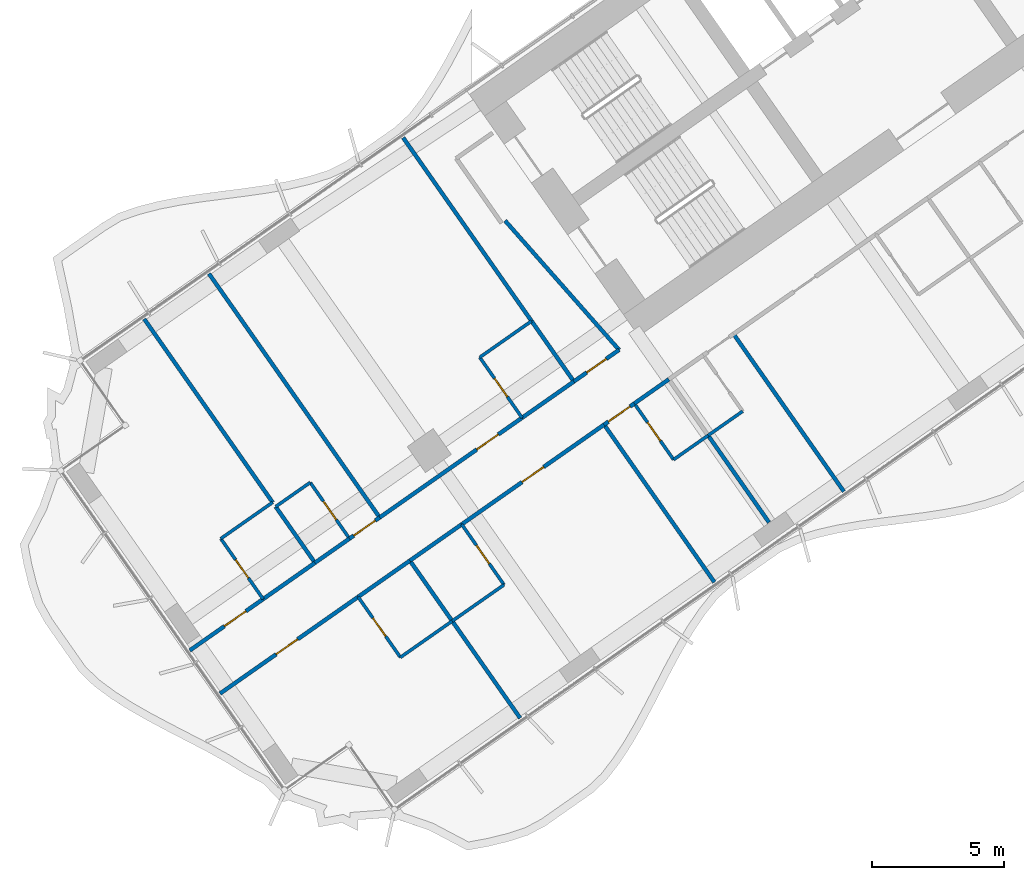
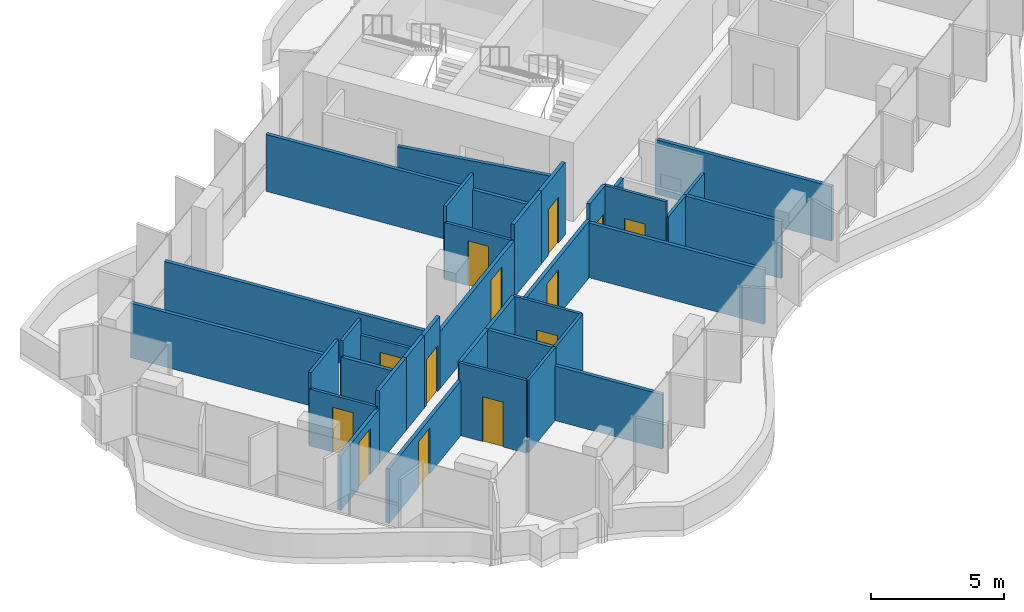
# One storey, part 12 of 23: 37 walls, 13 doors, 13 openings.
"""IFC4 building model written with IfcOpenShell, lengths in metres."""

from ifc_helpers import new_model, si_unit, direction, frame, frame_2d, origin, place, context, subcontext, project, spatial, rectangle, extrude, material, layer, layer_set, type_object, element, fill, save


model = new_model("IFC4")

# Units and contexts
model_context = context("Model", 3, precision=1e-05, world=origin(), true_north=direction((0.0, 1.0)))
body_context = subcontext(model_context, "Body", "Model", "MODEL_VIEW")
ifc_project = project(units=[si_unit("LENGTHUNIT", "METRE"), si_unit("AREAUNIT", "SQUARE_METRE"), si_unit("VOLUMEUNIT", "CUBIC_METRE"), si_unit("PLANEANGLEUNIT", "RADIAN"), si_unit("MASSUNIT", "GRAM", prefix="KILO")], contexts=[model_context])

# Site, building, storey
site_placement = place(None, origin())
site = spatial("IfcSite", under=ifc_project, at=site_placement, CompositionType="ELEMENT")
building_placement = place(site_placement, origin())
building = spatial("IfcBuilding", under=site, at=building_placement, Name="Tel Ilan Convention Tower", CompositionType="ELEMENT")
storey_placement = place(building_placement, frame((0.0, 0.0, 79.699951171875)))
storey = spatial("IfcBuildingStorey", under=building, at=storey_placement, Name="L15", CompositionType="ELEMENT", Elevation=79.699951171875)

# Wall, opening, door
ifc_material_1 = material(Name="Plasterboard on Steel Studs", Category="steel")
ifc_layer_1 = layer(ifc_material_1, 0.14990234375)
ifc_layer_set_1 = layer_set([ifc_layer_1], Name="Fire-rated Partition 150 EI 60")
wall_type_1 = type_object("IfcWallType", Name="Fire-rated Partition 150 EI 60", PredefinedType="PARTITIONING", material=ifc_layer_set_1)
wall_1_placement = place(storey_placement, frame((-24.002685546875, -18.027587890625, 0.0), z_axis=(0.0, 0.0, 1.0), x_axis=(0.819160859995, 0.573563846013, 0.0)))
wall_1 = element("IfcWall", 1, at=wall_1_placement, inside=storey, type_object=wall_type_1, Name="Partition 017", PredefinedType="PARTITIONING", context=body_context, shape_type="SweptSolid", body=[
    extrude(rectangle(XDim=2.098388671875, YDim=0.14990234375, at=frame_2d((1.04931640625, 0.0))), origin(), (0.0, 0.0, 1.0), 3.320068359375),
])
opening_1_placement = place(wall_1_placement, frame((0.59912109375, 0.0, 0.0)))
opening_1 = element("IfcOpeningElement", 2, at=opening_1_placement, cuts=wall_1, Name="Opening L15-013", PredefinedType="OPENING", context=body_context, shape_type="SweptSolid", body=[
    extrude(rectangle(XDim=0.89990234375, YDim=2.10009765625, at=frame_2d((0.449951171875, 1.050048828125))), frame((0.0, 0.0849609375, 0.0), z_axis=(0.0, -1.0, 0.0), x_axis=(1.0, 0.0, 0.0)), (0.0, 0.0, 1.0), 0.169921875),
])
ifc_material_2 = material(Name="Timber Door Leaf in Steel Frame", Category="steel")
door_type_1 = type_object("IfcDoorType", Name="Room Fire Door 900x2100", OperationType="NOTDEFINED", PredefinedType="DOOR", material=ifc_material_2)
door_1_placement = place(opening_1_placement, origin())
door_1 = element("IfcDoor", 3, at=door_1_placement, inside=storey, type_object=door_type_1, Name="Door L15-013", OperationType="SINGLE_SWING_LEFT", OverallHeight=2.10009765625, OverallWidth=0.89990234375, PredefinedType="DOOR", context=body_context, shape_type="SweptSolid", body=[
    extrude(rectangle(XDim=0.89990234375, YDim=2.10009765625, at=frame_2d((0.449951171875, 1.050048828125))), frame((0.0, 0.02490234375, 0.0), z_axis=(0.0, -1.0, 0.0), x_axis=(1.0, 0.0, 0.0)), (0.0, 0.0, 1.0), 0.050048828125),
])
fill(opening_1, door_1)

wall_2_placement = place(storey_placement, frame((-31.375, -23.189697265625, 0.0), z_axis=(0.0, 0.0, 1.0), x_axis=(0.819171118839, 0.573549194106, 0.0)))
wall_2 = element("IfcWall", 4, at=wall_2_placement, inside=storey, type_object=wall_type_1, Name="Partition 018", PredefinedType="PARTITIONING", context=body_context, shape_type="SweptSolid", body=[
    extrude(rectangle(XDim=6.60302734375, YDim=0.14990234375, at=frame_2d((3.301513671875, 0.0))), origin(), (0.0, 0.0, 1.0), 2.60009765625),
])
opening_2_placement = place(wall_2_placement, frame((4.501953125, 0.0, 0.0)))
opening_2 = element("IfcOpeningElement", 5, at=opening_2_placement, cuts=wall_2, Name="Opening L15-015", PredefinedType="OPENING", context=body_context, shape_type="SweptSolid", body=[
    extrude(rectangle(XDim=1.0, YDim=2.10009765625, at=frame_2d((0.5, 1.050048828125))), frame((0.0, 0.0849609375, 0.0), z_axis=(0.0, -1.0, 0.0), x_axis=(1.0, 0.0, 0.0)), (0.0, 0.0, 1.0), 0.169921875),
])
ifc_material_3 = material(Name="Timber Door Leaf in Steel Frame", Category="steel")
door_type_2 = type_object("IfcDoorType", Name="Hotel Room Entrance Fire Door 1000x2100", OperationType="NOTDEFINED", PredefinedType="DOOR", material=ifc_material_3)
door_2_placement = place(opening_2_placement, origin())
door_2 = element("IfcDoor", 6, at=door_2_placement, inside=storey, type_object=door_type_2, Name="Door L15-015", OperationType="SINGLE_SWING_LEFT", OverallHeight=2.10009765625, OverallWidth=1.0, PredefinedType="DOOR", context=body_context, shape_type="SweptSolid", body=[
    extrude(rectangle(XDim=1.0, YDim=2.10009765625, at=frame_2d((0.5, 1.050048828125))), frame((0.0, 0.02490234375, 0.0), z_axis=(0.0, -1.0, 0.0), x_axis=(1.0, 0.0, 0.0)), (0.0, 0.0, 1.0), 0.050048828125),
])
fill(opening_2, door_2)

# Wall
wall_3_placement = place(storey_placement, frame((-25.968505859375, -19.404296875, 0.0), z_axis=(0.0, 0.0, 1.0), x_axis=(0.819146032251, 0.573585022335, 0.0)))
element("IfcWall", 7, at=wall_3_placement, inside=storey, type_object=wall_type_1, Name="Partition 019", PredefinedType="PARTITIONING", context=body_context, shape_type="SweptSolid", body=[
    extrude(rectangle(XDim=2.404052734375, YDim=0.14990234375, at=frame_2d((1.2021484375, 0.0))), origin(), (0.0, 0.0, 1.0), 3.320068359375),
])

# Wall, opening, door
wall_4_placement = place(storey_placement, frame((-32.52099609375, -23.9921875, 0.0), z_axis=(0.0, 0.0, 1.0), x_axis=(0.819199220913, 0.573509055252, 0.0)))
wall_4 = element("IfcWall", 8, at=wall_4_placement, inside=storey, type_object=wall_type_1, Name="Partition 020", PredefinedType="PARTITIONING", context=body_context, shape_type="SweptSolid", body=[
    extrude(rectangle(XDim=1.403076171875, YDim=0.14990234375, at=frame_2d((0.70166015625, 0.0))), origin(), (0.0, 0.0, 1.0), 3.320068359375),
])
opening_3_placement = place(wall_4_placement, frame((0.200927734375, 0.0, 0.0)))
opening_3 = element("IfcOpeningElement", 9, at=opening_3_placement, cuts=wall_4, Name="Opening L15-017", PredefinedType="OPENING", context=body_context, shape_type="SweptSolid", body=[
    extrude(rectangle(XDim=1.0, YDim=2.10009765625, at=frame_2d((0.5, 1.050048828125))), frame((0.0, 0.0849609375, 0.0), z_axis=(0.0, -1.0, 0.0), x_axis=(1.0, 0.0, 0.0)), (0.0, 0.0, 1.0), 0.169921875),
])
door_3_placement = place(opening_3_placement, origin())
door_3 = element("IfcDoor", 10, at=door_3_placement, inside=storey, type_object=door_type_2, Name="Door L15-017", OperationType="SINGLE_SWING_RIGHT", OverallHeight=2.10009765625, OverallWidth=1.0, PredefinedType="DOOR", context=body_context, shape_type="SweptSolid", body=[
    extrude(rectangle(XDim=1.0, YDim=2.10009765625, at=frame_2d((0.5, 1.050048828125))), frame((0.0, 0.02490234375, 0.0), z_axis=(0.0, -1.0, 0.0), x_axis=(1.0, 0.0, 0.0)), (0.0, 0.0, 1.0), 0.050048828125),
])
fill(opening_3, door_3)

# Wall
wall_5_placement = place(storey_placement, frame((-33.83251953125, -24.910400390625, 0.0), z_axis=(0.0, 0.0, 1.0), x_axis=(0.819189013667, 0.573523634986, 0.0)))
element("IfcWall", 11, at=wall_5_placement, inside=storey, type_object=wall_type_1, Name="Partition 021", PredefinedType="PARTITIONING", context=body_context, shape_type="SweptSolid", body=[
    extrude(rectangle(XDim=1.60400390625, YDim=0.14990234375, at=frame_2d((0.802001953125, 0.0))), origin(), (0.0, 0.0, 1.0), 3.320068359375),
])

# Wall, opening, door
wall_6_placement = place(storey_placement, frame((-38.581787109375, -28.236083984375, 0.0), z_axis=(0.0, 0.0, 1.0), x_axis=(0.819154345195, 0.573573150303, 0.0)))
wall_6 = element("IfcWall", 12, at=wall_6_placement, inside=storey, type_object=wall_type_1, Name="Partition 022", PredefinedType="PARTITIONING", context=body_context, shape_type="SweptSolid", body=[
    extrude(rectangle(XDim=3.40087890625, YDim=0.14990234375, at=frame_2d((1.700439453125, 0.0))), origin(), (0.0, 0.0, 1.0), 2.5),
])
opening_4_placement = place(wall_6_placement, frame((1.60009765625, 0.0, 0.0)))
opening_4 = element("IfcOpeningElement", 13, at=opening_4_placement, cuts=wall_6, Name="Opening L15-019", PredefinedType="OPENING", context=body_context, shape_type="SweptSolid", body=[
    extrude(rectangle(XDim=1.0, YDim=2.10009765625, at=frame_2d((0.5, 1.050048828125))), frame((0.0, 0.0849609375, 0.0), z_axis=(0.0, -1.0, 0.0), x_axis=(1.0, 0.0, 0.0)), (0.0, 0.0, 1.0), 0.169921875),
])
door_4_placement = place(opening_4_placement, origin())
door_4 = element("IfcDoor", 14, at=door_4_placement, inside=storey, type_object=door_type_2, Name="Door L15-019", OperationType="SINGLE_SWING_LEFT", OverallHeight=2.10009765625, OverallWidth=1.0, PredefinedType="DOOR", context=body_context, shape_type="SweptSolid", body=[
    extrude(rectangle(XDim=1.0, YDim=2.10009765625, at=frame_2d((0.5, 1.050048828125))), frame((0.0, 0.02490234375, 0.0), z_axis=(0.0, -1.0, 0.0), x_axis=(1.0, 0.0, 0.0)), (0.0, 0.0, 1.0), 0.050048828125),
])
fill(opening_4, door_4)

# Wall
wall_7_placement = place(storey_placement, frame((-35.79833984375, -26.287109375, 0.0), z_axis=(0.0, 0.0, 1.0), x_axis=(0.819146032251, 0.573585022335, 0.0)))
element("IfcWall", 15, at=wall_7_placement, inside=storey, type_object=wall_type_1, Name="Partition 023", PredefinedType="PARTITIONING", context=body_context, shape_type="SweptSolid", body=[
    extrude(rectangle(XDim=2.404052734375, YDim=0.14990234375, at=frame_2d((1.2021484375, 0.0))), origin(), (0.0, 0.0, 1.0), 3.320068359375),
])

# Wall, opening, door
wall_8_placement = place(storey_placement, frame((-21.706298828125, -18.861083984375, 0.0), z_axis=(0.0, 0.0, 1.0), x_axis=(-0.819060210533, -0.573707566205, 0.0)))
wall_8 = element("IfcWall", 16, at=wall_8_placement, inside=storey, type_object=wall_type_1, Name="Partition 030", PredefinedType="PARTITIONING", context=body_context, shape_type="SweptSolid", body=[
    extrude(rectangle(XDim=1.403076171875, YDim=0.14990234375, at=frame_2d((0.70166015625, 0.0))), origin(), (0.0, 0.0, 1.0), 3.320068359375),
])
opening_5_placement = place(wall_8_placement, frame((0.200927734375, 0.0, 0.0)))
opening_5 = element("IfcOpeningElement", 17, at=opening_5_placement, cuts=wall_8, Name="Opening L15-008", PredefinedType="OPENING", context=body_context, shape_type="SweptSolid", body=[
    extrude(rectangle(XDim=1.0, YDim=2.10009765625, at=frame_2d((0.5, 1.050048828125))), frame((0.0, 0.0849609375, 0.0), z_axis=(0.0, -1.0, 0.0), x_axis=(1.0, 0.0, 0.0)), (0.0, 0.0, 1.0), 0.169921875),
])
door_5_placement = place(opening_5_placement, origin())
door_5 = element("IfcDoor", 18, at=door_5_placement, inside=storey, type_object=door_type_2, Name="Door L15-008", OperationType="SINGLE_SWING_LEFT", OverallHeight=2.10009765625, OverallWidth=1.0, PredefinedType="DOOR", context=body_context, shape_type="SweptSolid", body=[
    extrude(rectangle(XDim=1.0, YDim=2.10009765625, at=frame_2d((0.5, 1.050048828125))), frame((0.0, 0.02490234375, 0.0), z_axis=(0.0, -1.0, 0.0), x_axis=(1.0, 0.0, 0.0)), (0.0, 0.0, 1.0), 0.050048828125),
])
fill(opening_5, door_5)

# Wall
wall_9_placement = place(storey_placement, frame((-20.394775390625, -17.94287109375, 0.0), z_axis=(0.0, 0.0, 1.0), x_axis=(-0.819189013667, -0.573523634986, 0.0)))
element("IfcWall", 19, at=wall_9_placement, inside=storey, type_object=wall_type_1, Name="Partition 031", PredefinedType="PARTITIONING", context=body_context, shape_type="SweptSolid", body=[
    extrude(rectangle(XDim=1.60400390625, YDim=0.14990234375, at=frame_2d((0.802001953125, 0.0))), origin(), (0.0, 0.0, 1.0), 2.60009765625),
])

# Wall, opening, door
wall_10_placement = place(storey_placement, frame((-22.852294921875, -19.66357421875, 0.0), z_axis=(0.0, 0.0, 1.0), x_axis=(-0.819141582452, -0.573591377113, 0.0)))
wall_10 = element("IfcWall", 20, at=wall_10_placement, inside=storey, type_object=wall_type_1, Name="Partition 032", PredefinedType="PARTITIONING", context=body_context, shape_type="SweptSolid", body=[
    extrude(rectangle(XDim=6.602783203125, YDim=0.14990234375, at=frame_2d((3.30126953125, 0.0))), origin(), (0.0, 0.0, 1.0), 2.60009765625),
])
opening_6_placement = place(wall_10_placement, frame((2.802001953125, 0.0, 0.0)))
opening_6 = element("IfcOpeningElement", 21, at=opening_6_placement, cuts=wall_10, Name="Opening L15-010", PredefinedType="OPENING", context=body_context, shape_type="SweptSolid", body=[
    extrude(rectangle(XDim=1.0, YDim=2.10009765625, at=frame_2d((0.5, 1.050048828125))), frame((0.0, 0.0849609375, 0.0), z_axis=(0.0, -1.0, 0.0), x_axis=(1.0, 0.0, 0.0)), (0.0, 0.0, 1.0), 0.169921875),
])
door_6_placement = place(opening_6_placement, origin())
door_6 = element("IfcDoor", 22, at=door_6_placement, inside=storey, type_object=door_type_2, Name="Door L15-010", OperationType="SINGLE_SWING_LEFT", OverallHeight=2.10009765625, OverallWidth=1.0, PredefinedType="DOOR", context=body_context, shape_type="SweptSolid", body=[
    extrude(rectangle(XDim=1.0, YDim=2.10009765625, at=frame_2d((0.5, 1.050048828125))), frame((0.0, 0.02490234375, 0.0), z_axis=(0.0, -1.0, 0.0), x_axis=(1.0, 0.0, 0.0)), (0.0, 0.0, 1.0), 0.050048828125),
])
fill(opening_6, door_6)

# Wall
wall_11_placement = place(storey_placement, frame((-28.258544921875, -23.44921875, 0.0), z_axis=(0.0, 0.0, 1.0), x_axis=(-0.819146032251, -0.573585022335, 0.0)))
element("IfcWall", 23, at=wall_11_placement, inside=storey, type_object=wall_type_1, Name="Partition 033", PredefinedType="PARTITIONING", context=body_context, shape_type="SweptSolid", body=[
    extrude(rectangle(XDim=2.404052734375, YDim=0.14990234375, at=frame_2d((1.2021484375, 0.0))), origin(), (0.0, 0.0, 1.0), 3.320068359375),
])

# Wall, opening, door
wall_12_placement = place(storey_placement, frame((-32.19140625, -26.202880859375, 0.0), z_axis=(0.0, 0.0, 1.0), x_axis=(-0.819140526837, -0.573592884626, 0.0)))
wall_12 = element("IfcWall", 24, at=wall_12_placement, inside=storey, type_object=wall_type_1, Name="Partition 034", PredefinedType="PARTITIONING", context=body_context, shape_type="SweptSolid", body=[
    extrude(rectangle(XDim=6.401123046875, YDim=0.14990234375, at=frame_2d((3.20068359375, 0.0))), origin(), (0.0, 0.0, 1.0), 2.5),
])
opening_7_placement = place(wall_12_placement, frame((2.801025390625, 0.0, 0.0)))
opening_7 = element("IfcOpeningElement", 25, at=opening_7_placement, cuts=wall_12, Name="Opening L15-012", PredefinedType="OPENING", context=body_context, shape_type="SweptSolid", body=[
    extrude(rectangle(XDim=1.0, YDim=2.10009765625, at=frame_2d((0.5, 1.050048828125))), frame((0.0, 0.0849609375, 0.0), z_axis=(0.0, -1.0, 0.0), x_axis=(1.0, 0.0, 0.0)), (0.0, 0.0, 1.0), 0.169921875),
])
door_7_placement = place(opening_7_placement, origin())
door_7 = element("IfcDoor", 26, at=door_7_placement, inside=storey, type_object=door_type_2, Name="Door L15-012", OperationType="SINGLE_SWING_LEFT", OverallHeight=2.10009765625, OverallWidth=1.0, PredefinedType="DOOR", context=body_context, shape_type="SweptSolid", body=[
    extrude(rectangle(XDim=1.0, YDim=2.10009765625, at=frame_2d((0.5, 1.050048828125))), frame((0.0, 0.02490234375, 0.0), z_axis=(0.0, -1.0, 0.0), x_axis=(1.0, 0.0, 0.0)), (0.0, 0.0, 1.0), 0.050048828125),
])
fill(opening_7, door_7)

# Walls
wall_13_placement = place(storey_placement, frame((-30.224609375, -24.82568359375, 0.0), z_axis=(0.0, 0.0, 1.0), x_axis=(-0.819146032251, -0.573585022335, 0.0)))
element("IfcWall", 27, at=wall_13_placement, inside=storey, type_object=wall_type_1, Name="Partition 035", PredefinedType="PARTITIONING", context=body_context, shape_type="SweptSolid", body=[
    extrude(rectangle(XDim=2.404052734375, YDim=0.14990234375, at=frame_2d((1.2021484375, 0.0))), origin(), (0.0, 0.0, 1.0), 3.320068359375),
])
wall_14_placement = place(storey_placement, frame((-22.2841796875, -16.82666015625, 0.0), z_axis=(0.0, 0.0, 1.0), x_axis=(-0.661545117561, 0.749905365651, 0.0)))
element("IfcWall", 28, at=wall_14_placement, inside=storey, type_object=wall_type_1, Name="Partition 067", PredefinedType="PARTITIONING", context=body_context, shape_type="SweptSolid", body=[
    extrude(rectangle(XDim=6.542724609375, YDim=0.14990234375, at=frame_2d((3.271484375, 0.0))), origin(), (0.0, 0.0, 1.0), 2.60009765625),
])
wall_15_placement = place(storey_placement, frame((-25.6064453125, -15.733642578125, 0.0), z_axis=(0.0, 0.0, 1.0), x_axis=(-0.573576058406, 0.819152308929, 0.0)))
element("IfcWall", 29, at=wall_15_placement, inside=storey, type_object=wall_type_1, Name="Partition 068", PredefinedType="PARTITIONING", context=body_context, shape_type="SweptSolid", body=[
    extrude(rectangle(XDim=8.5009765625, YDim=0.14990234375, at=frame_2d((4.25048828125, 0.0))), origin(), (0.0, 0.0, 1.0), 2.60009765625),
])
wall_16_placement = place(storey_placement, frame((-24.0009765625, -18.0263671875, 0.0), z_axis=(0.0, 0.0, 1.0), x_axis=(-0.573596837309, 0.819137759006, 0.0)))
element("IfcWall", 30, at=wall_16_placement, inside=storey, type_object=wall_type_1, Name="Partition 069", PredefinedType="PARTITIONING", context=body_context, shape_type="SweptSolid", body=[
    extrude(rectangle(XDim=2.802001953125, YDim=0.14990234375, at=frame_2d((1.40087890625, 0.0))), origin(), (0.0, 0.0, 1.0), 2.60009765625),
])
wall_17_placement = place(storey_placement, frame((-31.373291015625, -23.188720703125, 0.0), z_axis=(0.0, 0.0, 1.0), x_axis=(-0.573571089604, 0.819155788095, 0.0)))
element("IfcWall", 31, at=wall_17_placement, inside=storey, type_object=wall_type_1, Name="Partition 072", PredefinedType="PARTITIONING", context=body_context, shape_type="SweptSolid", body=[
    extrude(rectangle(XDim=11.300048828125, YDim=0.14990234375, at=frame_2d((5.64990234375, 0.0))), origin(), (0.0, 0.0, 1.0), 2.5),
])
wall_18_placement = place(storey_placement, frame((-35.436279296875, -22.61669921875, 0.0), z_axis=(0.0, 0.0, 1.0), x_axis=(-0.57356256513, 0.819161756848, 0.0)))
element("IfcWall", 32, at=wall_18_placement, inside=storey, type_object=wall_type_1, Name="Partition 075", PredefinedType="PARTITIONING", context=body_context, shape_type="SweptSolid", body=[
    extrude(rectangle(XDim=8.501220703125, YDim=0.14990234375, at=frame_2d((4.25048828125, 0.0))), origin(), (0.0, 0.0, 1.0), 2.5),
])
wall_19_placement = place(storey_placement, frame((-33.830810546875, -24.909423828125, 0.0), z_axis=(0.0, 0.0, 1.0), x_axis=(-0.573537965655, 0.819178980414, 0.0)))
element("IfcWall", 33, at=wall_19_placement, inside=storey, type_object=wall_type_1, Name="Partition 076", PredefinedType="PARTITIONING", context=body_context, shape_type="SweptSolid", body=[
    extrude(rectangle(XDim=2.60009765625, YDim=0.14990234375, at=frame_2d((1.300048828125, 0.0))), origin(), (0.0, 0.0, 1.0), 2.60009765625),
])
wall_20_placement = place(storey_placement, frame((-13.751708984375, -22.203125, 0.0), z_axis=(0.0, 0.0, 1.0), x_axis=(-0.573594765376, 0.819139209862, 0.0)))
element("IfcWall", 34, at=wall_20_placement, inside=storey, type_object=wall_type_1, Name="Partition 085", PredefinedType="PARTITIONING", context=body_context, shape_type="SweptSolid", body=[
    extrude(rectangle(XDim=7.300048828125, YDim=0.14990234375, at=frame_2d((3.64990234375, 0.0))), origin(), (0.0, 0.0, 1.0), 2.5),
])
wall_21_placement = place(storey_placement, frame((-16.593505859375, -23.375, 0.0), z_axis=(0.0, 0.0, 1.0), x_axis=(-0.573600608675, 0.819135118114, 0.0)))
element("IfcWall", 35, at=wall_21_placement, inside=storey, type_object=wall_type_1, Name="Partition 088", PredefinedType="PARTITIONING", context=body_context, shape_type="SweptSolid", body=[
    extrude(rectangle(XDim=4.029052734375, YDim=0.14990234375, at=frame_2d((2.0146484375, 0.0))), origin(), (0.0, 0.0, 1.0), 2.60009765625),
])
wall_22_placement = place(storey_placement, frame((-18.666748046875, -25.64453125, 0.0), z_axis=(0.0, 0.0, 1.0), x_axis=(-0.573572324301, 0.819154923562, 0.0)))
element("IfcWall", 36, at=wall_22_placement, inside=storey, type_object=wall_type_1, Name="Partition 092", PredefinedType="PARTITIONING", context=body_context, shape_type="SweptSolid", body=[
    extrude(rectangle(XDim=7.2998046875, YDim=0.14990234375, at=frame_2d((3.64990234375, 0.0))), origin(), (0.0, 0.0, 1.0), 2.5),
])
wall_23_placement = place(storey_placement, frame((-26.0390625, -30.806640625, 0.0), z_axis=(0.0, 0.0, 1.0), x_axis=(-0.573589807488, 0.819142681555, 0.0)))
element("IfcWall", 37, at=wall_23_placement, inside=storey, type_object=wall_type_1, Name="Partition 095", PredefinedType="PARTITIONING", context=body_context, shape_type="SweptSolid", body=[
    extrude(rectangle(XDim=4.4990234375, YDim=0.14990234375, at=frame_2d((2.24951171875, 0.0))), origin(), (0.0, 0.0, 1.0), 2.5),
])
wall_24_placement = place(storey_placement, frame((-28.6201171875, -27.12060546875, 0.0), z_axis=(0.0, 0.0, 1.0), x_axis=(-0.573608623498, 0.819129505664, 0.0)))
element("IfcWall", 38, at=wall_24_placement, inside=storey, type_object=wall_type_1, Name="Partition 096", PredefinedType="PARTITIONING", context=body_context, shape_type="SweptSolid", body=[
    extrude(rectangle(XDim=2.800048828125, YDim=0.14990234375, at=frame_2d((1.39990234375, 0.0))), origin(), (0.0, 0.0, 1.0), 3.320068359375),
])
ifc_material_4 = material(Name="Plasterboard on Steel Studs", Category="steel")
ifc_layer_2 = layer(ifc_material_4, 0.1201171875)
ifc_layer_set_2 = layer_set([ifc_layer_2], Name="Moisture-resistant Partition 120")
wall_type_2 = type_object("IfcWallType", Name="Moisture-resistant Partition 120", PredefinedType="PARTITIONING", material=ifc_layer_set_2)
wall_25_placement = place(storey_placement, frame((-25.607666015625, -15.73193359375, 0.0), z_axis=(0.0, 0.0, 1.0), x_axis=(-0.819107643868, -0.573639841501, 0.0)))
element("IfcWall", 39, at=wall_25_placement, inside=storey, type_object=wall_type_2, Name="Partition 070", PredefinedType="PARTITIONING", context=body_context, shape_type="SweptSolid", body=[
    extrude(rectangle(XDim=2.39990234375, YDim=0.1201171875, at=frame_2d((1.199951171875, 0.0))), origin(), (0.0, 0.0, 1.0), 3.320068359375),
])

# Wall, opening, door
wall_26_placement = place(storey_placement, frame((-27.57373046875, -17.110107421875, 0.0), z_axis=(0.0, 0.0, 1.0), x_axis=(0.573591086599, -0.819141785879, 0.0)))
wall_26 = element("IfcWall", 40, at=wall_26_placement, inside=storey, type_object=wall_type_2, Name="Partition 071", PredefinedType="PARTITIONING", context=body_context, shape_type="SweptSolid", body=[
    extrude(rectangle(XDim=2.7998046875, YDim=0.1201171875, at=frame_2d((1.39990234375, 0.0))), origin(), (0.0, 0.0, 1.0), 2.60009765625),
])
opening_8_placement = place(wall_26_placement, frame((0.97509765625, 0.0, 0.0)))
opening_8 = element("IfcOpeningElement", 41, at=opening_8_placement, cuts=wall_26, Name="Opening L15-014", PredefinedType="OPENING", context=body_context, shape_type="SweptSolid", body=[
    extrude(rectangle(XDim=0.85009765625, YDim=2.050048828125, at=frame_2d((0.425048828125, 1.02490234375))), frame((0.0, 0.070068359375, 0.0), z_axis=(0.0, -1.0, 0.0), x_axis=(1.0, 0.0, 0.0)), (0.0, 0.0, 1.0), 0.14013671875),
])
ifc_material_5 = material(Name="Timber Door Leaf in Steel Frame", Category="steel")
door_type_3 = type_object("IfcDoorType", Name="Bathroom Timber Door 850x2050", OperationType="NOTDEFINED", PredefinedType="DOOR", material=ifc_material_5)
door_8_placement = place(opening_8_placement, origin())
door_8 = element("IfcDoor", 42, at=door_8_placement, inside=storey, type_object=door_type_3, Name="Door L15-014", OperationType="SINGLE_SWING_RIGHT", OverallHeight=2.050048828125, OverallWidth=0.85009765625, PredefinedType="DOOR", context=body_context, shape_type="SweptSolid", body=[
    extrude(rectangle(XDim=0.85009765625, YDim=2.050048828125, at=frame_2d((0.425048828125, 1.02490234375))), frame((0.0, 0.02490234375, 0.0), z_axis=(0.0, -1.0, 0.0), x_axis=(1.0, 0.0, 0.0)), (0.0, 0.0, 1.0), 0.050048828125),
])
fill(opening_8, door_8)

wall_27_placement = place(storey_placement, frame((-32.519287109375, -23.9912109375, 0.0), z_axis=(0.0, 0.0, 1.0), x_axis=(-0.573537965655, 0.819178980414, 0.0)))
wall_27 = element("IfcWall", 43, at=wall_27_placement, inside=storey, type_object=wall_type_2, Name="Partition 073", PredefinedType="PARTITIONING", context=body_context, shape_type="SweptSolid", body=[
    extrude(rectangle(XDim=2.60009765625, YDim=0.1201171875, at=frame_2d((1.300048828125, 0.0))), origin(), (0.0, 0.0, 1.0), 2.60009765625),
])
opening_9_placement = place(wall_27_placement, frame((0.875, 0.0, 0.0)))
opening_9 = element("IfcOpeningElement", 44, at=opening_9_placement, cuts=wall_27, Name="Opening L15-016", PredefinedType="OPENING", context=body_context, shape_type="SweptSolid", body=[
    extrude(rectangle(XDim=0.85009765625, YDim=2.050048828125, at=frame_2d((0.425048828125, 1.02490234375))), frame((0.0, 0.070068359375, 0.0), z_axis=(0.0, -1.0, 0.0), x_axis=(1.0, 0.0, 0.0)), (0.0, 0.0, 1.0), 0.14013671875),
])
door_9_placement = place(opening_9_placement, origin())
door_9 = element("IfcDoor", 45, at=door_9_placement, inside=storey, type_object=door_type_3, Name="Door L15-016", OperationType="SINGLE_SWING_LEFT", OverallHeight=2.050048828125, OverallWidth=0.85009765625, PredefinedType="DOOR", context=body_context, shape_type="SweptSolid", body=[
    extrude(rectangle(XDim=0.85009765625, YDim=2.050048828125, at=frame_2d((0.425048828125, 1.02490234375))), frame((0.0, 0.02490234375, 0.0), z_axis=(0.0, -1.0, 0.0), x_axis=(1.0, 0.0, 0.0)), (0.0, 0.0, 1.0), 0.050048828125),
])
fill(opening_9, door_9)

# Walls
wall_28_placement = place(storey_placement, frame((-34.011962890625, -21.861083984375, 0.0), z_axis=(0.0, 0.0, 1.0), x_axis=(-0.81918174131, -0.573534022273, 0.0)))
element("IfcWall", 46, at=wall_28_placement, inside=storey, type_object=wall_type_2, Name="Partition 074", PredefinedType="PARTITIONING", context=body_context, shape_type="SweptSolid", body=[
    extrude(rectangle(XDim=1.60009765625, YDim=0.1201171875, at=frame_2d((0.800048828125, 0.0))), origin(), (0.0, 0.0, 1.0), 3.320068359375),
])
wall_29_placement = place(storey_placement, frame((-35.4375, -22.614990234375, 0.0), z_axis=(0.0, 0.0, 1.0), x_axis=(-0.819155442668, -0.573571582932, 0.0)))
element("IfcWall", 47, at=wall_29_placement, inside=storey, type_object=wall_type_2, Name="Partition 077", PredefinedType="PARTITIONING", context=body_context, shape_type="SweptSolid", body=[
    extrude(rectangle(XDim=2.39990234375, YDim=0.1201171875, at=frame_2d((1.199951171875, 0.0))), origin(), (0.0, 0.0, 1.0), 3.320068359375),
])

# Wall, opening, door
wall_30_placement = place(storey_placement, frame((-37.403564453125, -23.992919921875, 0.0), z_axis=(0.0, 0.0, 1.0), x_axis=(0.573550118428, -0.819170471667, 0.0)))
wall_30 = element("IfcWall", 48, at=wall_30_placement, inside=storey, type_object=wall_type_2, Name="Partition 078", PredefinedType="PARTITIONING", context=body_context, shape_type="SweptSolid", body=[
    extrude(rectangle(XDim=2.800048828125, YDim=0.1201171875, at=frame_2d((1.39990234375, 0.0))), origin(), (0.0, 0.0, 1.0), 2.60009765625),
])
opening_10_placement = place(wall_30_placement, frame((0.97509765625, 0.0, 0.0)))
opening_10 = element("IfcOpeningElement", 49, at=opening_10_placement, cuts=wall_30, Name="Opening L15-018", PredefinedType="OPENING", context=body_context, shape_type="SweptSolid", body=[
    extrude(rectangle(XDim=0.85009765625, YDim=2.050048828125, at=frame_2d((0.425048828125, 1.02490234375))), frame((0.0, 0.070068359375, 0.0), z_axis=(0.0, -1.0, 0.0), x_axis=(1.0, 0.0, 0.0)), (0.0, 0.0, 1.0), 0.14013671875),
])
door_10_placement = place(opening_10_placement, origin())
door_10 = element("IfcDoor", 50, at=door_10_placement, inside=storey, type_object=door_type_3, Name="Door L15-018", OperationType="SINGLE_SWING_RIGHT", OverallHeight=2.050048828125, OverallWidth=0.85009765625, PredefinedType="DOOR", context=body_context, shape_type="SweptSolid", body=[
    extrude(rectangle(XDim=0.85009765625, YDim=2.050048828125, at=frame_2d((0.425048828125, 1.02490234375))), frame((0.0, 0.02490234375, 0.0), z_axis=(0.0, -1.0, 0.0), x_axis=(1.0, 0.0, 0.0)), (0.0, 0.0, 1.0), 0.050048828125),
])
fill(opening_10, door_10)

# Wall
wall_31_placement = place(storey_placement, frame((-18.904541015625, -20.07470703125, 0.0), z_axis=(0.0, 0.0, 1.0), x_axis=(0.819131543282, 0.57360571371, 0.0)))
element("IfcWall", 51, at=wall_31_placement, inside=storey, type_object=wall_type_2, Name="Partition 086", PredefinedType="PARTITIONING", context=body_context, shape_type="SweptSolid", body=[
    extrude(rectangle(XDim=1.599853515625, YDim=0.1201171875, at=frame_2d((0.7998046875, 0.0))), origin(), (0.0, 0.0, 1.0), 2.60009765625),
])

# Wall, opening, door
wall_32_placement = place(storey_placement, frame((-21.707763671875, -18.8623046875, 0.0), z_axis=(0.0, 0.0, 1.0), x_axis=(0.573537965655, -0.819178980414, 0.0)))
wall_32 = element("IfcWall", 52, at=wall_32_placement, inside=storey, type_object=wall_type_2, Name="Partition 090", PredefinedType="PARTITIONING", context=body_context, shape_type="SweptSolid", body=[
    extrude(rectangle(XDim=2.60009765625, YDim=0.1201171875, at=frame_2d((1.300048828125, 0.0))), origin(), (0.0, 0.0, 1.0), 3.320068359375),
])
opening_11_placement = place(wall_32_placement, frame((0.875, 0.0, 0.0)))
opening_11 = element("IfcOpeningElement", 53, at=opening_11_placement, cuts=wall_32, Name="Opening L15-007", PredefinedType="OPENING", context=body_context, shape_type="SweptSolid", body=[
    extrude(rectangle(XDim=0.85009765625, YDim=2.050048828125, at=frame_2d((0.425048828125, 1.02490234375))), frame((0.0, 0.070068359375, 0.0), z_axis=(0.0, -1.0, 0.0), x_axis=(1.0, 0.0, 0.0)), (0.0, 0.0, 1.0), 0.14013671875),
])
door_11_placement = place(opening_11_placement, origin())
door_11 = element("IfcDoor", 54, at=door_11_placement, inside=storey, type_object=door_type_3, Name="Door L15-007", OperationType="SINGLE_SWING_RIGHT", OverallHeight=2.050048828125, OverallWidth=0.85009765625, PredefinedType="DOOR", context=body_context, shape_type="SweptSolid", body=[
    extrude(rectangle(XDim=0.85009765625, YDim=2.050048828125, at=frame_2d((0.425048828125, 1.02490234375))), frame((0.0, 0.02490234375, 0.0), z_axis=(0.0, -1.0, 0.0), x_axis=(1.0, 0.0, 0.0)), (0.0, 0.0, 1.0), 0.050048828125),
])
fill(opening_11, door_11)

# Walls
wall_33_placement = place(storey_placement, frame((-20.215087890625, -20.992431640625, 0.0), z_axis=(0.0, 0.0, 1.0), x_axis=(0.819131543282, 0.57360571371, 0.0)))
element("IfcWall", 55, at=wall_33_placement, inside=storey, type_object=wall_type_2, Name="Partition 091", PredefinedType="PARTITIONING", context=body_context, shape_type="SweptSolid", body=[
    extrude(rectangle(XDim=1.599853515625, YDim=0.1201171875, at=frame_2d((0.7998046875, 0.0))), origin(), (0.0, 0.0, 1.0), 2.60009765625),
])
wall_34_placement = place(storey_placement, frame((-28.61962890625, -27.121337890625, 0.0), z_axis=(0.0, 0.0, 1.0), x_axis=(0.819188907105, 0.573523787192, 0.0)))
element("IfcWall", 56, at=wall_34_placement, inside=storey, type_object=wall_type_2, Name="Partition 093", PredefinedType="PARTITIONING", context=body_context, shape_type="SweptSolid", body=[
    extrude(rectangle(XDim=2.39990234375, YDim=0.1201171875, at=frame_2d((1.199951171875, 0.0))), origin(), (0.0, 0.0, 1.0), 3.320068359375),
])

# Wall, opening, door
wall_35_placement = place(storey_placement, frame((-26.6533203125, -25.743408203125, 0.0), z_axis=(0.0, 0.0, 1.0), x_axis=(-0.573608623498, 0.819129505664, 0.0)))
wall_35 = element("IfcWall", 57, at=wall_35_placement, inside=storey, type_object=wall_type_2, Name="Partition 094", PredefinedType="PARTITIONING", context=body_context, shape_type="SweptSolid", body=[
    extrude(rectangle(XDim=2.800048828125, YDim=0.1201171875, at=frame_2d((1.39990234375, 0.0))), origin(), (0.0, 0.0, 1.0), 3.320068359375),
])
opening_12_placement = place(wall_35_placement, frame((0.97509765625, 0.0, 0.0)))
opening_12 = element("IfcOpeningElement", 58, at=opening_12_placement, cuts=wall_35, Name="Opening L15-009", PredefinedType="OPENING", context=body_context, shape_type="SweptSolid", body=[
    extrude(rectangle(XDim=0.85009765625, YDim=2.050048828125, at=frame_2d((0.425048828125, 1.02490234375))), frame((0.0, 0.070068359375, 0.0), z_axis=(0.0, -1.0, 0.0), x_axis=(1.0, 0.0, 0.0)), (0.0, 0.0, 1.0), 0.14013671875),
])
door_12_placement = place(opening_12_placement, origin())
door_12 = element("IfcDoor", 59, at=door_12_placement, inside=storey, type_object=door_type_3, Name="Door L15-009", OperationType="SINGLE_SWING_LEFT", OverallHeight=2.050048828125, OverallWidth=0.85009765625, PredefinedType="DOOR", context=body_context, shape_type="SweptSolid", body=[
    extrude(rectangle(XDim=0.85009765625, YDim=2.050048828125, at=frame_2d((0.425048828125, 1.02490234375))), frame((0.0, 0.02490234375, 0.0), z_axis=(0.0, -1.0, 0.0), x_axis=(1.0, 0.0, 0.0)), (0.0, 0.0, 1.0), 0.050048828125),
])
fill(opening_12, door_12)

wall_36_placement = place(storey_placement, frame((-32.193115234375, -26.2041015625, 0.0), z_axis=(0.0, 0.0, 1.0), x_axis=(0.573608623498, -0.819129505664, 0.0)))
wall_36 = element("IfcWall", 60, at=wall_36_placement, inside=storey, type_object=wall_type_2, Name="Partition 097", PredefinedType="PARTITIONING", context=body_context, shape_type="SweptSolid", body=[
    extrude(rectangle(XDim=2.800048828125, YDim=0.1201171875, at=frame_2d((1.39990234375, 0.0))), origin(), (0.0, 0.0, 1.0), 3.320068359375),
])
opening_13_placement = place(wall_36_placement, frame((0.97509765625, 0.0, 0.0)))
opening_13 = element("IfcOpeningElement", 61, at=opening_13_placement, cuts=wall_36, Name="Opening L15-011", PredefinedType="OPENING", context=body_context, shape_type="SweptSolid", body=[
    extrude(rectangle(XDim=0.85009765625, YDim=2.050048828125, at=frame_2d((0.425048828125, 1.02490234375))), frame((0.0, 0.070068359375, 0.0), z_axis=(0.0, -1.0, 0.0), x_axis=(1.0, 0.0, 0.0)), (0.0, 0.0, 1.0), 0.14013671875),
])
door_13_placement = place(opening_13_placement, origin())
door_13 = element("IfcDoor", 62, at=door_13_placement, inside=storey, type_object=door_type_3, Name="Door L15-011", OperationType="SINGLE_SWING_LEFT", OverallHeight=2.050048828125, OverallWidth=0.85009765625, PredefinedType="DOOR", context=body_context, shape_type="SweptSolid", body=[
    extrude(rectangle(XDim=0.85009765625, YDim=2.050048828125, at=frame_2d((0.425048828125, 1.02490234375))), frame((0.0, 0.02490234375, 0.0), z_axis=(0.0, -1.0, 0.0), x_axis=(1.0, 0.0, 0.0)), (0.0, 0.0, 1.0), 0.050048828125),
])
fill(opening_13, door_13)

# Wall
wall_37_placement = place(storey_placement, frame((-30.585693359375, -28.498046875, 0.0), z_axis=(0.0, 0.0, 1.0), x_axis=(0.819141114317, 0.573592045652, 0.0)))
element("IfcWall", 63, at=wall_37_placement, inside=storey, type_object=wall_type_2, Name="Partition 098", PredefinedType="PARTITIONING", context=body_context, shape_type="SweptSolid", body=[
    extrude(rectangle(XDim=2.400146484375, YDim=0.1201171875, at=frame_2d((1.2001953125, 0.0))), origin(), (0.0, 0.0, 1.0), 3.320068359375),
])

save(model, "model.ifc")
